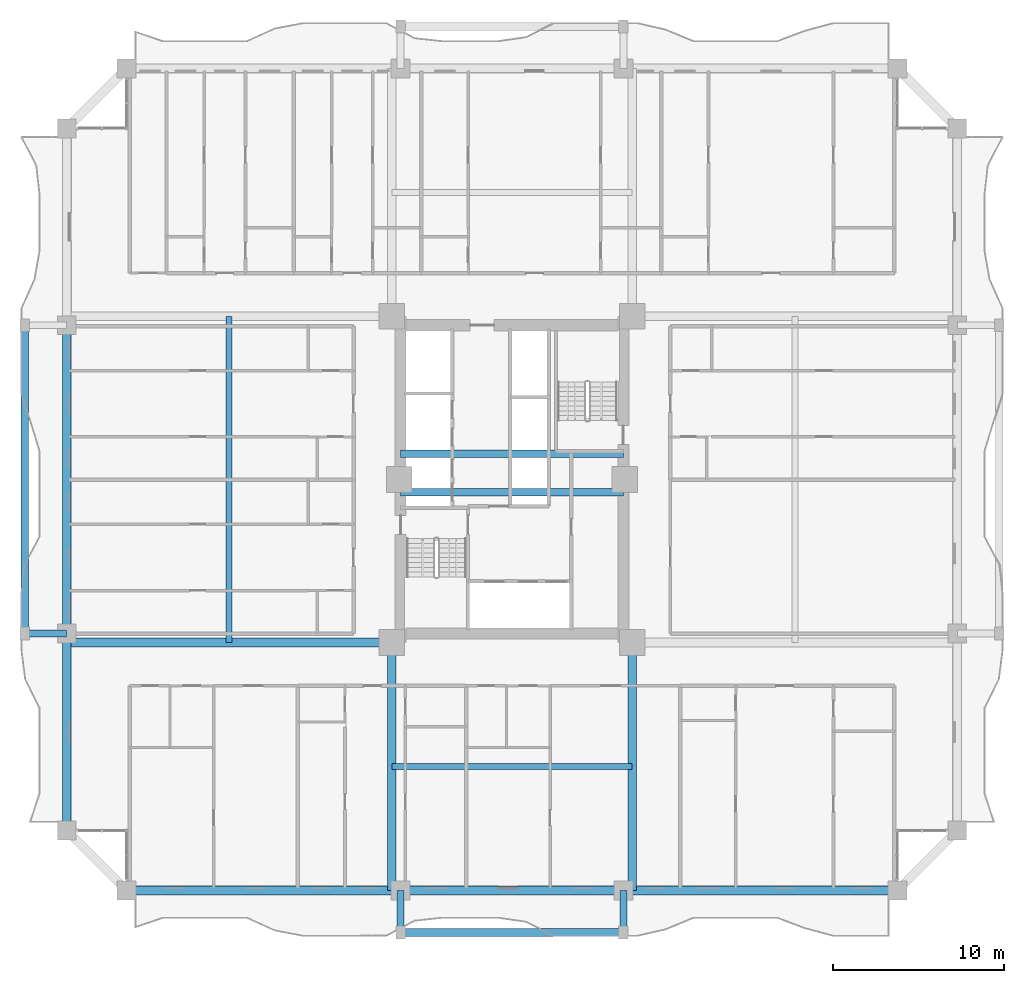
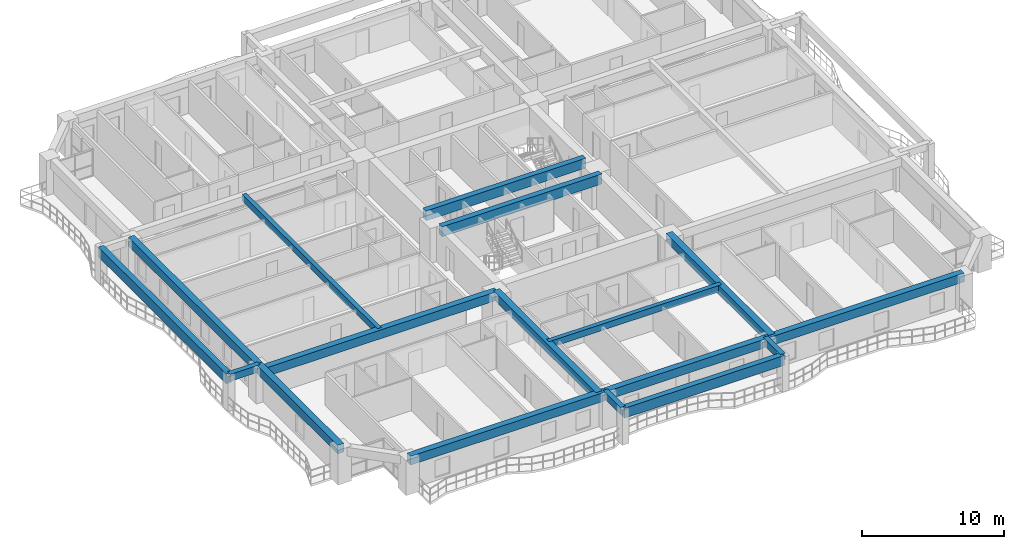
# One storey, part 3 of 27: 17 beams.
"""IFC4 building model written with IfcOpenShell, lengths in metres."""

from ifc_helpers import new_model, si_unit, direction, frame, origin, origin_2d, place, context, subcontext, project, spatial, rectangle, extrude, source, transform, mapped, material, material_profile, profile_set, type_object, element, save


model = new_model("IFC4")

# Units and contexts
model_context = context("Model", 3, precision=1e-05, world=origin(), true_north=direction((0.0, 1.0)))
body_context = subcontext(model_context, "Body", "Model", "MODEL_VIEW")
ifc_project = project(units=[si_unit("LENGTHUNIT", "METRE"), si_unit("AREAUNIT", "SQUARE_METRE"), si_unit("VOLUMEUNIT", "CUBIC_METRE"), si_unit("PLANEANGLEUNIT", "RADIAN"), si_unit("MASSUNIT", "GRAM", prefix="KILO")], contexts=[model_context])

# Site, building, storey
site_placement = place(None, origin())
site = spatial("IfcSite", under=ifc_project, at=site_placement, CompositionType="ELEMENT")
building_placement = place(site_placement, origin())
building = spatial("IfcBuilding", under=site, at=building_placement, Name="Saelheon Loggia Tower", CompositionType="ELEMENT")
storey_placement = place(building_placement, frame((0.0, 0.0, 52.39990234375)))
storey = spatial("IfcBuildingStorey", under=building, at=storey_placement, Name="L16", CompositionType="ELEMENT", Elevation=52.39990234375)

# Beams
ifc_material_1 = material(Name="Concrete C50/60", Category="concrete")
ifc_material_profile_1 = material_profile(ifc_material_1, rectangle(XDim=0.449951171875, YDim=0.85009765625, at=origin_2d()), Name="RC-450x850")
ifc_profile_set_1 = profile_set([ifc_material_profile_1], Name="Concrete C50/60")
beam_type_1 = type_object("IfcBeamType", Name="Beam_CoreLintel_RC450x850", PredefinedType="LINTEL", material=ifc_profile_set_1)
shared_shape_1 = source(origin(), body_context, "Body", "SweptSolid", [
    extrude(rectangle(XDim=0.449951171875, YDim=0.85009765625, at=origin_2d()), origin(), (0.0, 0.0, 1.0), 13.0),
])
for number, where, z_axis, x_axis, name in (
    (1, (31.5, 26.25, 2.5751953125), (1.0, 0.0, 0.0), (0.0, 1.0, 0.0), "L16 Core Coupling Lintel 1"),
    (2, (31.5, 28.5, 2.5751953125), (1.0, 0.0, 0.0), (0.0, 1.0, 0.0), "L16 Core Coupling Lintel 2"),
):
    element("IfcBeam", number, at=place(storey_placement, frame(where, z_axis=z_axis, x_axis=x_axis)), inside=storey, type_object=beam_type_1, Name=name, PredefinedType="LINTEL", context=body_context, shape_type="MappedRepresentation", body=[
        mapped(shared_shape_1, transform((0.0, 0.0, 0.0), scale=1.0)),
    ])
ifc_material_2 = material(Name="Precast Concrete C45/55", Category="concrete")
ifc_material_profile_2 = material_profile(ifc_material_2, rectangle(XDim=0.449951171875, YDim=0.85009765625, at=origin_2d()), Name="RC-450x850")
ifc_profile_set_2 = profile_set([ifc_material_profile_2], Name="Precast Concrete C45/55")
beam_type_2 = type_object("IfcBeamType", Name="Beam_LoggiaSpandrel_RC450x850", PredefinedType="SPANDREL", material=ifc_profile_set_2)
beam_1_placement = place(storey_placement, frame((31.5, 0.550048828125, 2.5751953125), z_axis=(1.0, 0.0, 0.0), x_axis=(0.0, 1.0, 0.0)))
element("IfcBeam", 3, at=beam_1_placement, inside=storey, type_object=beam_type_2, Name="L16 Loggia Spandrel Beam S", PredefinedType="SPANDREL", context=body_context, shape_type="MappedRepresentation", body=[
    mapped(shared_shape_1, transform((0.0, 0.0, 0.0), scale=1.0)),
])
ifc_material_3 = material(Name="Concrete C45/55", Category="concrete")
ifc_material_profile_3 = material_profile(ifc_material_3, rectangle(XDim=0.5, YDim=0.75, at=origin_2d()), Name="RC-500x750")
ifc_profile_set_3 = profile_set([ifc_material_profile_3], Name="Concrete C45/55")
beam_type_3 = type_object("IfcBeamType", Name="Beam_FloorGirder_RC500x750", PredefinedType="BEAM", material=ifc_profile_set_3)
shared_shape_2 = source(origin(), body_context, "Body", "SweptSolid", [
    extrude(rectangle(XDim=0.5, YDim=0.75, at=origin_2d()), origin(), (0.0, 0.0, 1.0), 14.47998046875),
])
for number, where, z_axis, x_axis, name in (
    (4, (30.97998046875, 17.47998046875, 2.625), (0.0, -1.0, 0.0), (1.0, 0.0, 0.0), "L16 Radial Floor Girder RAD-SW-S"),
    (5, (45.02001953125, 17.47998046875, 2.625), (0.0, -1.0, 0.0), (1.0, 0.0, 0.0), "L16 Radial Floor Girder RAD-SE-S"),
):
    element("IfcBeam", number, at=place(storey_placement, frame(where, z_axis=z_axis, x_axis=x_axis)), inside=storey, type_object=beam_type_3, Name=name, PredefinedType="BEAM", context=body_context, shape_type="MappedRepresentation", body=[
        mapped(shared_shape_2, transform((0.0, 0.0, 0.0), scale=1.0)),
    ])
ifc_material_profile_4 = material_profile(ifc_material_3, rectangle(XDim=0.5, YDim=0.75, at=origin_2d()), Name="RC-500x750")
ifc_profile_set_4 = profile_set([ifc_material_profile_4], Name="Concrete C45/55")
beam_type_4 = type_object("IfcBeamType", Name="Beam_PerimGirder_RC500x750", PredefinedType="BEAM", material=ifc_profile_set_4)
shared_shape_3 = source(origin(), body_context, "Body", "SweptSolid", [
    extrude(rectangle(XDim=0.5, YDim=0.75, at=origin_2d()), origin(), (0.0, 0.0, 1.0), 16.0),
])
for number, where, z_axis, x_axis, name in (
    (6, (15.5, 3.0, 2.625), (1.0, 0.0, 0.0), (0.0, 1.0, 0.0), "L16 Perimeter Frame Girder 01"),
    (7, (44.5, 3.0, 2.625), (1.0, 0.0, 0.0), (0.0, 1.0, 0.0), "L16 Perimeter Frame Girder 03"),
):
    element("IfcBeam", number, at=place(storey_placement, frame(where, z_axis=z_axis, x_axis=x_axis)), inside=storey, type_object=beam_type_4, Name=name, PredefinedType="BEAM", context=body_context, shape_type="MappedRepresentation", body=[
        mapped(shared_shape_3, transform((0.0, 0.0, 0.0), scale=1.0)),
    ])
shared_shape_4 = source(origin(), body_context, "Body", "SweptSolid", [
    extrude(rectangle(XDim=0.5, YDim=0.75, at=origin_2d()), origin(), (0.0, 0.0, 1.0), 13.0),
])
beam_2_placement = place(storey_placement, frame((31.5, 3.0, 2.625), z_axis=(1.0, 0.0, 0.0), x_axis=(0.0, 1.0, 0.0)))
element("IfcBeam", 8, at=beam_2_placement, inside=storey, type_object=beam_type_4, Name="L16 Perimeter Frame Girder 02", PredefinedType="BEAM", context=body_context, shape_type="MappedRepresentation", body=[
    mapped(shared_shape_4, transform((0.0, 0.0, 0.0), scale=1.0)),
])
shared_shape_5 = source(origin(), body_context, "Body", "SweptSolid", [
    extrude(rectangle(XDim=0.5, YDim=0.75, at=origin_2d()), origin(), (0.0, 0.0, 1.0), 11.5),
])
beam_3_placement = place(storey_placement, frame((12.0, 18.0, 2.625), z_axis=(0.0, -1.0, 0.0), x_axis=(1.0, 0.0, 0.0)))
element("IfcBeam", 9, at=beam_3_placement, inside=storey, type_object=beam_type_4, Name="L16 Perimeter Frame Girder 15", PredefinedType="BEAM", context=body_context, shape_type="MappedRepresentation", body=[
    mapped(shared_shape_5, transform((0.0, 0.0, 0.0), scale=1.0)),
])
shared_shape_6 = source(origin(), body_context, "Body", "SweptSolid", [
    extrude(rectangle(XDim=0.5, YDim=0.75, at=origin_2d()), origin(), (0.0, 0.0, 1.0), 18.0),
])
beam_4_placement = place(storey_placement, frame((12.0, 36.0, 2.625), z_axis=(0.0, -1.0, 0.0), x_axis=(1.0, 0.0, 0.0)))
element("IfcBeam", 10, at=beam_4_placement, inside=storey, type_object=beam_type_4, Name="L16 Perimeter Frame Girder 14", PredefinedType="BEAM", context=body_context, shape_type="MappedRepresentation", body=[
    mapped(shared_shape_6, transform((0.0, 0.0, 0.0), scale=1.0)),
])
shared_shape_7 = source(origin(), body_context, "Body", "SweptSolid", [
    extrude(rectangle(XDim=0.5, YDim=0.75, at=origin_2d()), origin(), (0.0, 0.0, 1.0), 18.97998046875),
])
beam_5_placement = place(storey_placement, frame((30.97998046875, 17.47998046875, 2.625), z_axis=(-1.0, 0.0, 0.0), x_axis=(0.0, -1.0, 0.0)))
element("IfcBeam", 11, at=beam_5_placement, inside=storey, type_object=beam_type_3, Name="L16 Radial Floor Girder RAD-SW-W", PredefinedType="BEAM", context=body_context, shape_type="MappedRepresentation", body=[
    mapped(shared_shape_7, transform((0.0, 0.0, 0.0), scale=1.0)),
])
ifc_material_4 = material(Name="Concrete C40/50", Category="concrete")
ifc_material_profile_5 = material_profile(ifc_material_4, rectangle(XDim=0.35009765625, YDim=0.550048828125, at=origin_2d()), Name="RC-350x550")
ifc_profile_set_5 = profile_set([ifc_material_profile_5], Name="Concrete C40/50")
beam_type_5 = type_object("IfcBeamType", Name="Beam_Joist_RC350x550", PredefinedType="JOIST", material=ifc_profile_set_5)
shared_shape_8 = source(origin(), body_context, "Body", "SweptSolid", [
    extrude(rectangle(XDim=0.35009765625, YDim=0.550048828125, at=origin_2d()), origin(), (0.0, 0.0, 1.0), 14.0400390625),
])
beam_6_placement = place(storey_placement, frame((30.97998046875, 10.239990234375, 2.72509765625), z_axis=(1.0, 0.0, 0.0), x_axis=(0.0, 1.0, 0.0)))
element("IfcBeam", 12, at=beam_6_placement, inside=storey, type_object=beam_type_5, Name="L16 South Floor Joist", PredefinedType="JOIST", context=body_context, shape_type="MappedRepresentation", body=[
    mapped(shared_shape_8, transform((0.0, 0.0, 0.0), scale=1.0)),
])
shared_shape_9 = source(origin(), body_context, "Body", "SweptSolid", [
    extrude(rectangle(XDim=0.35009765625, YDim=0.550048828125, at=origin_2d()), origin(), (0.0, 0.0, 1.0), 19.0400390625),
])
beam_7_placement = place(storey_placement, frame((21.489990234375, 17.47998046875, 2.72509765625), z_axis=(0.0, 1.0, 0.0), x_axis=(-1.0, 0.0, 0.0)))
element("IfcBeam", 13, at=beam_7_placement, inside=storey, type_object=beam_type_5, Name="L16 West Floor Joist", PredefinedType="JOIST", context=body_context, shape_type="MappedRepresentation", body=[
    mapped(shared_shape_9, transform((0.0, 0.0, 0.0), scale=1.0)),
])
ifc_material_profile_6 = material_profile(ifc_material_2, rectangle(XDim=0.39990234375, YDim=0.60009765625, at=origin_2d()), Name="RC-400x600")
ifc_profile_set_6 = profile_set([ifc_material_profile_6], Name="Precast Concrete C45/55")
beam_type_6 = type_object("IfcBeamType", Name="Beam_LoggiaTie_RC400x600", PredefinedType="BEAM", material=ifc_profile_set_6)
shared_shape_10 = source(origin(), body_context, "Body", "SweptSolid", [
    extrude(rectangle(XDim=0.39990234375, YDim=0.60009765625, at=origin_2d()), origin(), (0.0, 0.0, 1.0), 2.449951171875),
])
for number, where, z_axis, x_axis, name in (
    (14, (31.5, 3.0, 2.7001953125), (0.0, -1.0, 0.0), (1.0, 0.0, 0.0), "L16 Loggia Frame Tie Beam LP-S1"),
    (15, (44.5, 3.0, 2.7001953125), (0.0, -1.0, 0.0), (1.0, 0.0, 0.0), "L16 Loggia Frame Tie Beam LP-S2"),
    (16, (12.0, 18.0, 2.7001953125), (-1.0, 0.0, 0.0), (0.0, -1.0, 0.0), "L16 Loggia Frame Tie Beam LP-W1"),
):
    element("IfcBeam", number, at=place(storey_placement, frame(where, z_axis=z_axis, x_axis=x_axis)), inside=storey, type_object=beam_type_6, Name=name, PredefinedType="BEAM", context=body_context, shape_type="MappedRepresentation", body=[
        mapped(shared_shape_10, transform((0.0, 0.0, 0.0), scale=1.0)),
    ])
shared_shape_11 = source(origin(), body_context, "Body", "SweptSolid", [
    extrude(rectangle(XDim=0.449951171875, YDim=0.85009765625, at=origin_2d()), origin(), (0.0, 0.0, 1.0), 18.0),
])
beam_8_placement = place(storey_placement, frame((9.550048828125, 18.0, 2.5751953125), z_axis=(0.0, 1.0, 0.0), x_axis=(-1.0, 0.0, 0.0)))
element("IfcBeam", 17, at=beam_8_placement, inside=storey, type_object=beam_type_2, Name="L16 Loggia Spandrel Beam W", PredefinedType="SPANDREL", context=body_context, shape_type="MappedRepresentation", body=[
    mapped(shared_shape_11, transform((0.0, 0.0, 0.0), scale=1.0)),
])

save(model, "model.ifc")
